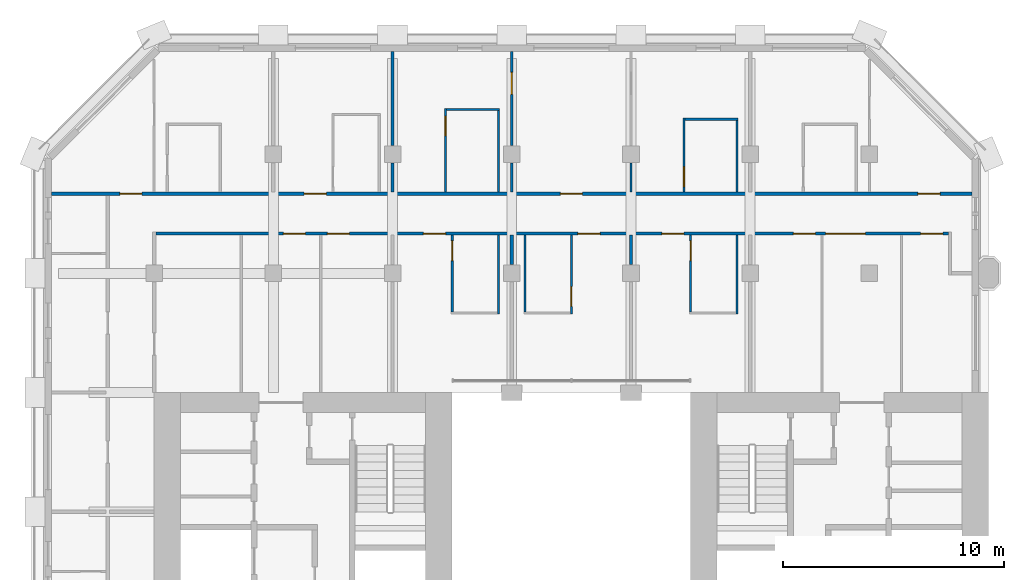
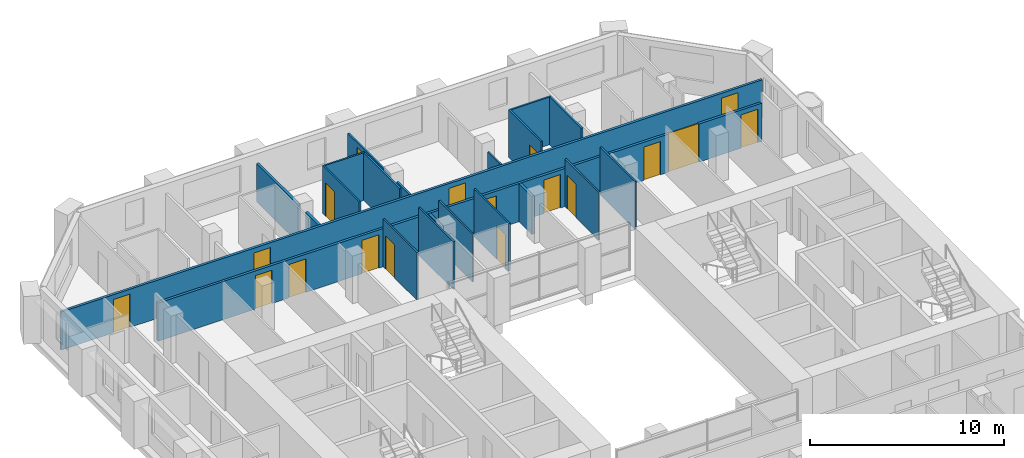
# One storey, part 10 of 13: 21 walls, 18 doors, 18 openings.
"""IFC4 building model written with IfcOpenShell, lengths in metres."""

from ifc_helpers import new_model, si_unit, direction, frame, frame_2d, origin, place, context, subcontext, project, spatial, rectangle, extrude, material, layer, layer_set, type_object, element, fill, save


model = new_model("IFC4")

# Units and contexts
model_context = context("Model", 3, precision=1e-05, world=origin(), true_north=direction((0.0, 1.0)))
body_context = subcontext(model_context, "Body", "Model", "MODEL_VIEW")
ifc_project = project(units=[si_unit("LENGTHUNIT", "METRE"), si_unit("AREAUNIT", "SQUARE_METRE"), si_unit("VOLUMEUNIT", "CUBIC_METRE"), si_unit("PLANEANGLEUNIT", "RADIAN"), si_unit("MASSUNIT", "GRAM", prefix="KILO")], contexts=[model_context])

# Site, building, storey
site_placement = place(None, origin())
site = spatial("IfcSite", under=ifc_project, at=site_placement, CompositionType="ELEMENT")
building_placement = place(site_placement, origin())
building = spatial("IfcBuilding", under=site, at=building_placement, Name="Tabaq Tower and Sports Hall", CompositionType="ELEMENT")
storey_placement = place(building_placement, frame((0.0, 0.0, 220.300048828125)))
storey = spatial("IfcBuildingStorey", under=building, at=storey_placement, Name="L55", CompositionType="ELEMENT", Elevation=220.300048828125)

# Wall
ifc_material_1 = material(Name="Gypsum board on steel studs", Category="steel")
ifc_layer_1 = layer(ifc_material_1, 0.10009765625)
ifc_layer_set_1 = layer_set([ifc_layer_1], Name="Partition 100 Gypsum board")
wall_type_1 = type_object("IfcWallType", Name="Partition 100 Gypsum board", PredefinedType="PARTITIONING", material=ifc_layer_set_1)
wall_1_placement = place(storey_placement, frame((31.800048828125, 39.52490234375, 0.0), z_axis=(0.0, 0.0, 1.0), x_axis=(0.0, -1.0, 0.0)))
element("IfcWall", 1, at=wall_1_placement, inside=storey, type_object=wall_type_1, Name="Partition wall L55", PredefinedType="PARTITIONING", context=body_context, shape_type="SweptSolid", body=[
    extrude(rectangle(XDim=3.574951171875, YDim=0.10009765625, at=frame_2d((1.78759765625, 0.0))), origin(), (0.0, 0.0, 1.0), 3.0),
])

# Wall, opening, door
wall_2_placement = place(storey_placement, frame((29.699951171875, 36.050048828125, 0.0), z_axis=(0.0, 0.0, 1.0), x_axis=(0.0, 1.0, 0.0)))
wall_2 = element("IfcWall", 2, at=wall_2_placement, inside=storey, type_object=wall_type_1, Name="Partition wall L55", PredefinedType="PARTITIONING", context=body_context, shape_type="SweptSolid", body=[
    extrude(rectangle(XDim=3.474853515625, YDim=0.10009765625, at=frame_2d((1.7373046875, 0.0))), origin(), (0.0, 0.0, 1.0), 3.0),
])
opening_1_placement = place(wall_2_placement, frame((2.324951171875, 0.0, 0.0)))
opening_1 = element("IfcOpeningElement", 3, at=opening_1_placement, cuts=wall_2, Name="Opening L55-001", PredefinedType="OPENING", context=body_context, shape_type="SweptSolid", body=[
    extrude(rectangle(XDim=0.89990234375, YDim=2.10009765625, at=frame_2d((0.449951171875, 1.050048828125))), frame((0.0, 0.050048828125, 0.0), z_axis=(0.0, -1.0, 0.0), x_axis=(1.0, 0.0, 0.0)), (0.0, 0.0, 1.0), 0.10009765625),
])
ifc_material_2 = material(Name="Timber leaf in steel frame", Category="steel")
door_type_1 = type_object("IfcDoorType", Name="Internal door 900 left hand", OperationType="SINGLE_SWING_LEFT", PredefinedType="DOOR", material=ifc_material_2)
door_1_placement = place(opening_1_placement, origin())
door_1 = element("IfcDoor", 4, at=door_1_placement, inside=storey, type_object=door_type_1, Name="Internal door L55-001", OperationType="SINGLE_SWING_LEFT", OverallHeight=2.10009765625, OverallWidth=0.89990234375, PredefinedType="DOOR", context=body_context, shape_type="SweptSolid", body=[
    extrude(rectangle(XDim=0.89990234375, YDim=2.10009765625, at=frame_2d((0.449951171875, 1.050048828125))), frame((0.0, 0.02490234375, 0.0), z_axis=(0.0, -1.0, 0.0), x_axis=(1.0, 0.0, 0.0)), (0.0, 0.0, 1.0), 0.050048828125),
])
fill(opening_1, door_1)

wall_3_placement = place(storey_placement, frame((24.300048828125, 39.52490234375, 0.0), z_axis=(0.0, 0.0, 1.0), x_axis=(0.0, -1.0, 0.0)))
wall_3 = element("IfcWall", 5, at=wall_3_placement, inside=storey, type_object=wall_type_1, Name="Partition wall L55", PredefinedType="PARTITIONING", context=body_context, shape_type="SweptSolid", body=[
    extrude(rectangle(XDim=3.574951171875, YDim=0.10009765625, at=frame_2d((1.78759765625, 0.0))), origin(), (0.0, 0.0, 1.0), 3.0),
])
opening_2_placement = place(wall_3_placement, frame((2.324951171875, 0.0, 0.0)))
opening_2 = element("IfcOpeningElement", 6, at=opening_2_placement, cuts=wall_3, Name="Opening L55-002", PredefinedType="OPENING", context=body_context, shape_type="SweptSolid", body=[
    extrude(rectangle(XDim=0.89990234375, YDim=2.10009765625, at=frame_2d((0.449951171875, 1.050048828125))), frame((0.0, 0.050048828125, 0.0), z_axis=(0.0, -1.0, 0.0), x_axis=(1.0, 0.0, 0.0)), (0.0, 0.0, 1.0), 0.10009765625),
])
door_2_placement = place(opening_2_placement, origin())
door_2 = element("IfcDoor", 7, at=door_2_placement, inside=storey, type_object=door_type_1, Name="Internal door L55-002", OperationType="SINGLE_SWING_LEFT", OverallHeight=2.10009765625, OverallWidth=0.89990234375, PredefinedType="DOOR", context=body_context, shape_type="SweptSolid", body=[
    extrude(rectangle(XDim=0.89990234375, YDim=2.10009765625, at=frame_2d((0.449951171875, 1.050048828125))), frame((0.0, 0.02490234375, 0.0), z_axis=(0.0, -1.0, 0.0), x_axis=(1.0, 0.0, 0.0)), (0.0, 0.0, 1.0), 0.050048828125),
])
fill(opening_2, door_2)

# Walls
wall_4_placement = place(storey_placement, frame((22.199951171875, 36.050048828125, 0.0), z_axis=(0.0, 0.0, 1.0), x_axis=(0.0, 1.0, 0.0)))
element("IfcWall", 8, at=wall_4_placement, inside=storey, type_object=wall_type_1, Name="Partition wall L55", PredefinedType="PARTITIONING", context=body_context, shape_type="SweptSolid", body=[
    extrude(rectangle(XDim=3.474853515625, YDim=0.10009765625, at=frame_2d((1.7373046875, 0.0))), origin(), (0.0, 0.0, 1.0), 3.0),
])
wall_5_placement = place(storey_placement, frame((21.0, 39.52490234375, 0.0), z_axis=(0.0, 0.0, 1.0), x_axis=(0.0, -1.0, 0.0)))
element("IfcWall", 9, at=wall_5_placement, inside=storey, type_object=wall_type_1, Name="Partition wall L55", PredefinedType="PARTITIONING", context=body_context, shape_type="SweptSolid", body=[
    extrude(rectangle(XDim=3.574951171875, YDim=0.10009765625, at=frame_2d((1.78759765625, 0.0))), origin(), (0.0, 0.0, 1.0), 3.0),
])

# Wall, opening, door
wall_6_placement = place(storey_placement, frame((18.89990234375, 36.050048828125, 0.0), z_axis=(0.0, 0.0, 1.0), x_axis=(0.0, 1.0, 0.0)))
wall_6 = element("IfcWall", 10, at=wall_6_placement, inside=storey, type_object=wall_type_1, Name="Partition wall L55", PredefinedType="PARTITIONING", context=body_context, shape_type="SweptSolid", body=[
    extrude(rectangle(XDim=3.474853515625, YDim=0.10009765625, at=frame_2d((1.7373046875, 0.0))), origin(), (0.0, 0.0, 1.0), 3.0),
])
opening_3_placement = place(wall_6_placement, frame((2.324951171875, 0.0, 0.0)))
opening_3 = element("IfcOpeningElement", 11, at=opening_3_placement, cuts=wall_6, Name="Opening L55-003", PredefinedType="OPENING", context=body_context, shape_type="SweptSolid", body=[
    extrude(rectangle(XDim=0.89990234375, YDim=2.10009765625, at=frame_2d((0.449951171875, 1.050048828125))), frame((0.0, 0.050048828125, 0.0), z_axis=(0.0, -1.0, 0.0), x_axis=(1.0, 0.0, 0.0)), (0.0, 0.0, 1.0), 0.10009765625),
])
ifc_material_3 = material(Name="Timber leaf in steel frame", Category="steel")
door_type_2 = type_object("IfcDoorType", Name="Internal door 900 right hand", OperationType="SINGLE_SWING_RIGHT", PredefinedType="DOOR", material=ifc_material_3)
door_3_placement = place(opening_3_placement, origin())
door_3 = element("IfcDoor", 12, at=door_3_placement, inside=storey, type_object=door_type_2, Name="Internal door L55-003", OperationType="SINGLE_SWING_RIGHT", OverallHeight=2.10009765625, OverallWidth=0.89990234375, PredefinedType="DOOR", context=body_context, shape_type="SweptSolid", body=[
    extrude(rectangle(XDim=0.89990234375, YDim=2.10009765625, at=frame_2d((0.449951171875, 1.050048828125))), frame((0.0, 0.02490234375, 0.0), z_axis=(0.0, -1.0, 0.0), x_axis=(1.0, 0.0, 0.0)), (0.0, 0.0, 1.0), 0.050048828125),
])
fill(opening_3, door_3)

# Wall
wall_7_placement = place(storey_placement, frame((27.0, 42.804931640625, 0.0), z_axis=(0.0, 0.0, 1.0), x_axis=(0.0, -1.0, 0.0)))
element("IfcWall", 13, at=wall_7_placement, inside=storey, type_object=wall_type_1, Name="Partition wall L55", PredefinedType="PARTITIONING", context=body_context, shape_type="SweptSolid", body=[
    extrude(rectangle(XDim=1.329833984375, YDim=0.10009765625, at=frame_2d((0.6650390625, 0.0))), origin(), (0.0, 0.0, 1.0), 2.39990234375),
])

# Wall, opening, door
wall_8_placement = place(storey_placement, frame((29.39990234375, 41.47509765625, 0.0), z_axis=(0.0, 0.0, 1.0), x_axis=(0.0, 1.0, 0.0)))
wall_8 = element("IfcWall", 14, at=wall_8_placement, inside=storey, type_object=wall_type_1, Name="Partition wall L55", PredefinedType="PARTITIONING", context=body_context, shape_type="SweptSolid", body=[
    extrude(rectangle(XDim=3.349853515625, YDim=0.10009765625, at=frame_2d((1.6748046875, 0.0))), origin(), (0.0, 0.0, 1.0), 3.0),
])
opening_4_placement = place(wall_8_placement, frame((0.25, 0.0, 0.0)))
opening_4 = element("IfcOpeningElement", 15, at=opening_4_placement, cuts=wall_8, Name="Opening L55-006", PredefinedType="OPENING", context=body_context, shape_type="SweptSolid", body=[
    extrude(rectangle(XDim=0.89990234375, YDim=2.10009765625, at=frame_2d((0.449951171875, 1.050048828125))), frame((0.0, 0.050048828125, 0.0), z_axis=(0.0, -1.0, 0.0), x_axis=(1.0, 0.0, 0.0)), (0.0, 0.0, 1.0), 0.10009765625),
])
door_4_placement = place(opening_4_placement, origin())
door_4 = element("IfcDoor", 16, at=door_4_placement, inside=storey, type_object=door_type_1, Name="Internal door L55-006", OperationType="SINGLE_SWING_LEFT", OverallHeight=2.10009765625, OverallWidth=0.89990234375, PredefinedType="DOOR", context=body_context, shape_type="SweptSolid", body=[
    extrude(rectangle(XDim=0.89990234375, YDim=2.10009765625, at=frame_2d((0.449951171875, 1.050048828125))), frame((0.0, 0.02490234375, 0.0), z_axis=(0.0, -1.0, 0.0), x_axis=(1.0, 0.0, 0.0)), (0.0, 0.0, 1.0), 0.050048828125),
])
fill(opening_4, door_4)

# Walls
wall_9_placement = place(storey_placement, frame((29.449951171875, 44.77490234375, 0.0), z_axis=(0.0, 0.0, 1.0), x_axis=(1.0, 0.0, 0.0)))
element("IfcWall", 17, at=wall_9_placement, inside=storey, type_object=wall_type_1, Name="Partition wall L55", PredefinedType="PARTITIONING", context=body_context, shape_type="SweptSolid", body=[
    extrude(rectangle(XDim=2.400146484375, YDim=0.10009765625, at=frame_2d((1.2001953125, 0.0))), origin(), (0.0, 0.0, 1.0), 3.0),
])
wall_10_placement = place(storey_placement, frame((31.800048828125, 44.72509765625, 0.0), z_axis=(0.0, 0.0, 1.0), x_axis=(0.0, -1.0, 0.0)))
element("IfcWall", 18, at=wall_10_placement, inside=storey, type_object=wall_type_1, Name="Partition wall L55", PredefinedType="PARTITIONING", context=body_context, shape_type="SweptSolid", body=[
    extrude(rectangle(XDim=3.25, YDim=0.10009765625, at=frame_2d((1.625, 0.0))), origin(), (0.0, 0.0, 1.0), 3.0),
])

# Wall, opening, door
wall_11_placement = place(storey_placement, frame((18.60009765625, 41.47509765625, 0.0), z_axis=(0.0, 0.0, 1.0), x_axis=(0.0, 1.0, 0.0)))
wall_11 = element("IfcWall", 19, at=wall_11_placement, inside=storey, type_object=wall_type_1, Name="Partition wall L55", PredefinedType="PARTITIONING", context=body_context, shape_type="SweptSolid", body=[
    extrude(rectangle(XDim=3.7998046875, YDim=0.10009765625, at=frame_2d((1.89990234375, 0.0))), origin(), (0.0, 0.0, 1.0), 3.0),
])
opening_5_placement = place(wall_11_placement, frame((2.550048828125, 0.0, 0.0)))
opening_5 = element("IfcOpeningElement", 20, at=opening_5_placement, cuts=wall_11, Name="Opening L55-007", PredefinedType="OPENING", context=body_context, shape_type="SweptSolid", body=[
    extrude(rectangle(XDim=0.89990234375, YDim=2.10009765625, at=frame_2d((0.449951171875, 1.050048828125))), frame((0.0, 0.050048828125, 0.0), z_axis=(0.0, -1.0, 0.0), x_axis=(1.0, 0.0, 0.0)), (0.0, 0.0, 1.0), 0.10009765625),
])
door_5_placement = place(opening_5_placement, origin())
door_5 = element("IfcDoor", 21, at=door_5_placement, inside=storey, type_object=door_type_2, Name="Internal door L55-007", OperationType="SINGLE_SWING_RIGHT", OverallHeight=2.10009765625, OverallWidth=0.89990234375, PredefinedType="DOOR", context=body_context, shape_type="SweptSolid", body=[
    extrude(rectangle(XDim=0.89990234375, YDim=2.10009765625, at=frame_2d((0.449951171875, 1.050048828125))), frame((0.0, 0.02490234375, 0.0), z_axis=(0.0, -1.0, 0.0), x_axis=(1.0, 0.0, 0.0)), (0.0, 0.0, 1.0), 0.050048828125),
])
fill(opening_5, door_5)

# Walls
wall_12_placement = place(storey_placement, frame((18.64990234375, 45.22509765625, 0.0), z_axis=(0.0, 0.0, 1.0), x_axis=(1.0, 0.0, 0.0)))
element("IfcWall", 22, at=wall_12_placement, inside=storey, type_object=wall_type_1, Name="Partition wall L55", PredefinedType="PARTITIONING", context=body_context, shape_type="SweptSolid", body=[
    extrude(rectangle(XDim=2.400146484375, YDim=0.10009765625, at=frame_2d((1.2001953125, 0.0))), origin(), (0.0, 0.0, 1.0), 3.0),
])
wall_13_placement = place(storey_placement, frame((21.0, 45.175048828125, 0.0), z_axis=(0.0, 0.0, 1.0), x_axis=(0.0, -1.0, 0.0)))
element("IfcWall", 23, at=wall_13_placement, inside=storey, type_object=wall_type_1, Name="Partition wall L55", PredefinedType="PARTITIONING", context=body_context, shape_type="SweptSolid", body=[
    extrude(rectangle(XDim=3.699951171875, YDim=0.10009765625, at=frame_2d((1.85009765625, 0.0))), origin(), (0.0, 0.0, 1.0), 3.0),
])
wall_14_placement = place(storey_placement, frame((21.60009765625, 41.47509765625, 0.0), z_axis=(0.0, 0.0, 1.0), x_axis=(0.0, 1.0, 0.0)))
element("IfcWall", 24, at=wall_14_placement, inside=storey, type_object=wall_type_1, Name="Partition wall L55", PredefinedType="PARTITIONING", context=body_context, shape_type="SweptSolid", body=[
    extrude(rectangle(XDim=1.329833984375, YDim=0.10009765625, at=frame_2d((0.6650390625, 0.0))), origin(), (0.0, 0.0, 1.0), 2.39990234375),
])

# Wall, opening, door
wall_15_placement = place(storey_placement, frame((21.60009765625, 43.594970703125, 0.0), z_axis=(0.0, 0.0, 1.0), x_axis=(0.0, 1.0, 0.0)))
wall_15 = element("IfcWall", 25, at=wall_15_placement, inside=storey, type_object=wall_type_1, Name="Partition wall L55", PredefinedType="PARTITIONING", context=body_context, shape_type="SweptSolid", body=[
    extrude(rectangle(XDim=4.254150390625, YDim=0.10009765625, at=frame_2d((2.126953125, 0.0))), origin(), (0.0, 0.0, 1.0), 2.39990234375),
])
opening_6_placement = place(wall_15_placement, frame((2.304931640625, 0.0, 0.0)))
opening_6 = element("IfcOpeningElement", 26, at=opening_6_placement, cuts=wall_15, Name="Opening L55-035", PredefinedType="OPENING", context=body_context, shape_type="SweptSolid", body=[
    extrude(rectangle(XDim=1.0, YDim=2.10009765625, at=frame_2d((0.5, 1.050048828125))), frame((0.0, 0.050048828125, 0.0), z_axis=(0.0, -1.0, 0.0), x_axis=(1.0, 0.0, 0.0)), (0.0, 0.0, 1.0), 0.10009765625),
])
ifc_material_4 = material(Name="Timber leaf in steel frame", Category="steel")
door_type_3 = type_object("IfcDoorType", Name="Internal door 1000 left hand", OperationType="SINGLE_SWING_LEFT", PredefinedType="DOOR", material=ifc_material_4)
door_6_placement = place(opening_6_placement, origin())
door_6 = element("IfcDoor", 27, at=door_6_placement, inside=storey, type_object=door_type_3, Name="Internal door L55-035", OperationType="SINGLE_SWING_LEFT", OverallHeight=2.10009765625, OverallWidth=1.0, PredefinedType="DOOR", context=body_context, shape_type="SweptSolid", body=[
    extrude(rectangle(XDim=1.0, YDim=2.10009765625, at=frame_2d((0.5, 1.050048828125))), frame((0.0, 0.02490234375, 0.0), z_axis=(0.0, -1.0, 0.0), x_axis=(1.0, 0.0, 0.0)), (0.0, 0.0, 1.0), 0.050048828125),
])
fill(opening_6, door_6)

# Walls
ifc_material_5 = material(Name="Blockwork", Category="masonry")
ifc_layer_2 = layer(ifc_material_5, 0.14990234375)
ifc_layer_set_2 = layer_set([ifc_layer_2], Name="Separating wall 150 Blockwork")
wall_type_2 = type_object("IfcWallType", Name="Separating wall 150 Blockwork", PredefinedType="PARTITIONING", material=ifc_layer_set_2)
for number, where, z_axis, x_axis, name in (
    (28, (27.0, 39.52490234375, 0.0), (0.0, 0.0, 1.0), (0.0, -1.0, 0.0), "Separating wall L55"),
    (29, (21.60009765625, 39.52490234375, 0.0), (0.0, 0.0, 1.0), (0.0, -1.0, 0.0), "Separating wall L55"),
):
    element("IfcWall", number, at=place(storey_placement, frame(where, z_axis=z_axis, x_axis=x_axis)), inside=storey, type_object=wall_type_2, Name=name, PredefinedType="PARTITIONING", context=body_context, shape_type="SweptSolid", body=[
        extrude(rectangle(XDim=1.329833984375, YDim=0.14990234375, at=frame_2d((0.6650390625, 0.0))), origin(), (0.0, 0.0, 1.0), 2.39990234375),
    ])
wall_16_placement = place(storey_placement, frame((16.199951171875, 47.84912109375, 0.0), z_axis=(0.0, 0.0, 1.0), x_axis=(0.0, -1.0, 0.0)))
element("IfcWall", 30, at=wall_16_placement, inside=storey, type_object=wall_type_2, Name="Separating wall L55", PredefinedType="PARTITIONING", context=body_context, shape_type="SweptSolid", body=[
    extrude(rectangle(XDim=4.254150390625, YDim=0.14990234375, at=frame_2d((2.126953125, 0.0))), origin(), (0.0, 0.0, 1.0), 2.39990234375),
])
wall_17_placement = place(storey_placement, frame((16.199951171875, 42.804931640625, 0.0), z_axis=(0.0, 0.0, 1.0), x_axis=(0.0, -1.0, 0.0)))
element("IfcWall", 31, at=wall_17_placement, inside=storey, type_object=wall_type_2, Name="Separating wall L55", PredefinedType="PARTITIONING", context=body_context, shape_type="SweptSolid", body=[
    extrude(rectangle(XDim=1.329833984375, YDim=0.14990234375, at=frame_2d((0.6650390625, 0.0))), origin(), (0.0, 0.0, 1.0), 2.39990234375),
])

# Wall, openings, doors
wall_18_placement = place(storey_placement, frame((42.448974609375, 41.39990234375, 0.0), z_axis=(0.0, 0.0, 1.0), x_axis=(-1.0, 0.0, 0.0)))
wall_18 = element("IfcWall", 32, at=wall_18_placement, inside=storey, type_object=wall_type_2, Name="Separating wall L55", PredefinedType="PARTITIONING", context=body_context, shape_type="SweptSolid", body=[
    extrude(rectangle(XDim=41.697998046875, YDim=0.14990234375, at=frame_2d((20.84912109375, 0.0))), origin(), (0.0, 0.0, 1.0), 2.39990234375),
])
opening_7_placement = place(wall_18_placement, frame((1.448974609375, 0.0, 0.0)))
opening_7 = element("IfcOpeningElement", 33, at=opening_7_placement, cuts=wall_18, Name="Opening L55-033", PredefinedType="OPENING", context=body_context, shape_type="SweptSolid", body=[
    extrude(rectangle(XDim=1.0, YDim=2.10009765625, at=frame_2d((0.5, 1.050048828125))), frame((0.0, 0.074951171875, 0.0), z_axis=(0.0, -1.0, 0.0), x_axis=(1.0, 0.0, 0.0)), (0.0, 0.0, 1.0), 0.14990234375),
])
opening_8_placement = place(wall_18_placement, frame((29.2490234375, 0.0, 0.0)))
opening_8 = element("IfcOpeningElement", 34, at=opening_8_placement, cuts=wall_18, Name="Opening L55-036", PredefinedType="OPENING", context=body_context, shape_type="SweptSolid", body=[
    extrude(rectangle(XDim=1.0, YDim=2.10009765625, at=frame_2d((0.5, 1.050048828125))), frame((0.0, 0.074951171875, 0.0), z_axis=(0.0, -1.0, 0.0), x_axis=(1.0, 0.0, 0.0)), (0.0, 0.0, 1.0), 0.14990234375),
])
opening_9_placement = place(wall_18_placement, frame((37.59912109375, 0.0, 0.0)))
opening_9 = element("IfcOpeningElement", 35, at=opening_9_placement, cuts=wall_18, Name="Opening L55-038", PredefinedType="OPENING", context=body_context, shape_type="SweptSolid", body=[
    extrude(rectangle(XDim=1.0, YDim=2.10009765625, at=frame_2d((0.5, 1.050048828125))), frame((0.0, 0.074951171875, 0.0), z_axis=(0.0, -1.0, 0.0), x_axis=(1.0, 0.0, 0.0)), (0.0, 0.0, 1.0), 0.14990234375),
])
opening_10_placement = place(wall_18_placement, frame((17.64892578125, 0.0, 0.0)))
opening_10 = element("IfcOpeningElement", 36, at=opening_10_placement, cuts=wall_18, Name="Opening L55-052", PredefinedType="OPENING", context=body_context, shape_type="SweptSolid", body=[
    extrude(rectangle(XDim=1.0, YDim=2.10009765625, at=frame_2d((0.5, 1.050048828125))), frame((0.0, 0.074951171875, 0.0), z_axis=(0.0, -1.0, 0.0), x_axis=(1.0, 0.0, 0.0)), (0.0, 0.0, 1.0), 0.14990234375),
])
ifc_material_6 = material(Name="Steel fire door", Category="steel")
door_type_4 = type_object("IfcDoorType", Name="Entrance door 1000 left hand", OperationType="SINGLE_SWING_LEFT", PredefinedType="DOOR", material=ifc_material_6)
door_7_placement = place(opening_10_placement, origin())
door_7 = element("IfcDoor", 37, at=door_7_placement, inside=storey, type_object=door_type_4, Name="Entrance door L55-052", OperationType="SINGLE_SWING_LEFT", OverallHeight=2.10009765625, OverallWidth=1.0, PredefinedType="DOOR", context=body_context, shape_type="SweptSolid", body=[
    extrude(rectangle(XDim=1.0, YDim=2.10009765625, at=frame_2d((0.5, 1.050048828125))), frame((0.0, 0.02490234375, 0.0), z_axis=(0.0, -1.0, 0.0), x_axis=(1.0, 0.0, 0.0)), (0.0, 0.0, 1.0), 0.050048828125),
])
fill(opening_10, door_7)
ifc_material_7 = material(Name="Steel fire door", Category="steel")
door_type_5 = type_object("IfcDoorType", Name="Entrance door 1000 right hand", OperationType="SINGLE_SWING_RIGHT", PredefinedType="DOOR", material=ifc_material_7)
door_8_placement = place(opening_7_placement, origin())
door_8 = element("IfcDoor", 38, at=door_8_placement, inside=storey, type_object=door_type_5, Name="Entrance door L55-033", OperationType="SINGLE_SWING_RIGHT", OverallHeight=2.10009765625, OverallWidth=1.0, PredefinedType="DOOR", context=body_context, shape_type="SweptSolid", body=[
    extrude(rectangle(XDim=1.0, YDim=2.10009765625, at=frame_2d((0.5, 1.050048828125))), frame((0.0, 0.02490234375, 0.0), z_axis=(0.0, -1.0, 0.0), x_axis=(1.0, 0.0, 0.0)), (0.0, 0.0, 1.0), 0.050048828125),
])
fill(opening_7, door_8)
door_9_placement = place(opening_8_placement, origin())
door_9 = element("IfcDoor", 39, at=door_9_placement, inside=storey, type_object=door_type_5, Name="Entrance door L55-036", OperationType="SINGLE_SWING_RIGHT", OverallHeight=2.10009765625, OverallWidth=1.0, PredefinedType="DOOR", context=body_context, shape_type="SweptSolid", body=[
    extrude(rectangle(XDim=1.0, YDim=2.10009765625, at=frame_2d((0.5, 1.050048828125))), frame((0.0, 0.02490234375, 0.0), z_axis=(0.0, -1.0, 0.0), x_axis=(1.0, 0.0, 0.0)), (0.0, 0.0, 1.0), 0.050048828125),
])
fill(opening_8, door_9)
door_10_placement = place(opening_9_placement, origin())
door_10 = element("IfcDoor", 40, at=door_10_placement, inside=storey, type_object=door_type_5, Name="Entrance door L55-038", OperationType="SINGLE_SWING_RIGHT", OverallHeight=2.10009765625, OverallWidth=1.0, PredefinedType="DOOR", context=body_context, shape_type="SweptSolid", body=[
    extrude(rectangle(XDim=1.0, YDim=2.10009765625, at=frame_2d((0.5, 1.050048828125))), frame((0.0, 0.02490234375, 0.0), z_axis=(0.0, -1.0, 0.0), x_axis=(1.0, 0.0, 0.0)), (0.0, 0.0, 1.0), 0.050048828125),
])
fill(opening_9, door_10)

wall_19_placement = place(storey_placement, frame((41.3740234375, 39.60009765625, 0.0), z_axis=(0.0, 0.0, 1.0), x_axis=(-1.0, 0.0, 0.0)))
wall_19 = element("IfcWall", 41, at=wall_19_placement, inside=storey, type_object=wall_type_2, Name="Separating wall L55", PredefinedType="PARTITIONING", context=body_context, shape_type="SweptSolid", body=[
    extrude(rectangle(XDim=35.89892578125, YDim=0.14990234375, at=frame_2d((17.949462890625, 0.0))), origin(), (0.0, 0.0, 1.0), 2.39990234375),
])
opening_11_placement = place(wall_19_placement, frame((0.25, 0.0, 0.0)))
opening_11 = element("IfcOpeningElement", 42, at=opening_11_placement, cuts=wall_19, Name="Opening L55-011", PredefinedType="OPENING", context=body_context, shape_type="SweptSolid", body=[
    extrude(rectangle(XDim=1.0, YDim=2.10009765625, at=frame_2d((0.5, 1.050048828125))), frame((0.0, 0.074951171875, 0.0), z_axis=(0.0, -1.0, 0.0), x_axis=(1.0, 0.0, 0.0)), (0.0, 0.0, 1.0), 0.14990234375),
])
opening_12_placement = place(wall_19_placement, frame((27.1240234375, 0.0, 0.0)))
opening_12 = element("IfcOpeningElement", 43, at=opening_12_placement, cuts=wall_19, Name="Opening L55-012", PredefinedType="OPENING", context=body_context, shape_type="SweptSolid", body=[
    extrude(rectangle(XDim=1.0, YDim=2.10009765625, at=frame_2d((0.5, 1.050048828125))), frame((0.0, 0.074951171875, 0.0), z_axis=(0.0, -1.0, 0.0), x_axis=(1.0, 0.0, 0.0)), (0.0, 0.0, 1.0), 0.14990234375),
])
opening_13_placement = place(wall_19_placement, frame((6.02392578125, 0.0, 0.0)))
opening_13 = element("IfcOpeningElement", 44, at=opening_13_placement, cuts=wall_19, Name="Opening L55-014", PredefinedType="OPENING", context=body_context, shape_type="SweptSolid", body=[
    extrude(rectangle(XDim=1.0, YDim=2.10009765625, at=frame_2d((0.5, 1.050048828125))), frame((0.0, 0.074951171875, 0.0), z_axis=(0.0, -1.0, 0.0), x_axis=(1.0, 0.0, 0.0)), (0.0, 0.0, 1.0), 0.14990234375),
])
opening_14_placement = place(wall_19_placement, frame((11.97412109375, 0.0, 0.0)))
opening_14 = element("IfcOpeningElement", 45, at=opening_14_placement, cuts=wall_19, Name="Opening L55-028", PredefinedType="OPENING", context=body_context, shape_type="SweptSolid", body=[
    extrude(rectangle(XDim=1.0, YDim=2.10009765625, at=frame_2d((0.5, 1.050048828125))), frame((0.0, 0.074951171875, 0.0), z_axis=(0.0, -1.0, 0.0), x_axis=(1.0, 0.0, 0.0)), (0.0, 0.0, 1.0), 0.14990234375),
])
opening_15_placement = place(wall_19_placement, frame((15.77392578125, 0.0, 0.0)))
opening_15 = element("IfcOpeningElement", 46, at=opening_15_placement, cuts=wall_19, Name="Opening L55-029", PredefinedType="OPENING", context=body_context, shape_type="SweptSolid", body=[
    extrude(rectangle(XDim=1.0, YDim=2.10009765625, at=frame_2d((0.5, 1.050048828125))), frame((0.0, 0.074951171875, 0.0), z_axis=(0.0, -1.0, 0.0), x_axis=(1.0, 0.0, 0.0)), (0.0, 0.0, 1.0), 0.14990234375),
])
opening_16_placement = place(wall_19_placement, frame((22.77392578125, 0.0, 0.0)))
opening_16 = element("IfcOpeningElement", 47, at=opening_16_placement, cuts=wall_19, Name="Opening L55-030", PredefinedType="OPENING", context=body_context, shape_type="SweptSolid", body=[
    extrude(rectangle(XDim=1.0, YDim=2.10009765625, at=frame_2d((0.5, 1.050048828125))), frame((0.0, 0.074951171875, 0.0), z_axis=(0.0, -1.0, 0.0), x_axis=(1.0, 0.0, 0.0)), (0.0, 0.0, 1.0), 0.14990234375),
])
opening_17_placement = place(wall_19_placement, frame((3.75390625, 0.0, 0.0)))
opening_17 = element("IfcOpeningElement", 48, at=opening_17_placement, cuts=wall_19, Name="Opening L55-039", PredefinedType="OPENING", context=body_context, shape_type="SweptSolid", body=[
    extrude(rectangle(XDim=1.800048828125, YDim=2.39990234375, at=frame_2d((0.89990234375, 1.199951171875))), frame((0.0, 0.074951171875, 0.0), z_axis=(0.0, -1.0, 0.0), x_axis=(1.0, 0.0, 0.0)), (0.0, 0.0, 1.0), 0.14990234375),
])
opening_18_placement = place(wall_19_placement, frame((29.1240234375, 0.0, 0.0)))
opening_18 = element("IfcOpeningElement", 49, at=opening_18_placement, cuts=wall_19, Name="Opening L55-040", PredefinedType="OPENING", context=body_context, shape_type="SweptSolid", body=[
    extrude(rectangle(XDim=1.0, YDim=2.10009765625, at=frame_2d((0.5, 1.050048828125))), frame((0.0, 0.074951171875, 0.0), z_axis=(0.0, -1.0, 0.0), x_axis=(1.0, 0.0, 0.0)), (0.0, 0.0, 1.0), 0.14990234375),
])
door_11_placement = place(opening_14_placement, origin())
door_11 = element("IfcDoor", 50, at=door_11_placement, inside=storey, type_object=door_type_4, Name="Entrance door L55-028", OperationType="SINGLE_SWING_LEFT", OverallHeight=2.10009765625, OverallWidth=1.0, PredefinedType="DOOR", context=body_context, shape_type="SweptSolid", body=[
    extrude(rectangle(XDim=1.0, YDim=2.10009765625, at=frame_2d((0.5, 1.050048828125))), frame((0.0, 0.02490234375, 0.0), z_axis=(0.0, -1.0, 0.0), x_axis=(1.0, 0.0, 0.0)), (0.0, 0.0, 1.0), 0.050048828125),
])
fill(opening_14, door_11)
door_12_placement = place(opening_16_placement, origin())
door_12 = element("IfcDoor", 51, at=door_12_placement, inside=storey, type_object=door_type_4, Name="Entrance door L55-030", OperationType="SINGLE_SWING_LEFT", OverallHeight=2.10009765625, OverallWidth=1.0, PredefinedType="DOOR", context=body_context, shape_type="SweptSolid", body=[
    extrude(rectangle(XDim=1.0, YDim=2.10009765625, at=frame_2d((0.5, 1.050048828125))), frame((0.0, 0.02490234375, 0.0), z_axis=(0.0, -1.0, 0.0), x_axis=(1.0, 0.0, 0.0)), (0.0, 0.0, 1.0), 0.050048828125),
])
fill(opening_16, door_12)
door_13_placement = place(opening_15_placement, origin())
door_13 = element("IfcDoor", 52, at=door_13_placement, inside=storey, type_object=door_type_5, Name="Entrance door L55-029", OperationType="SINGLE_SWING_RIGHT", OverallHeight=2.10009765625, OverallWidth=1.0, PredefinedType="DOOR", context=body_context, shape_type="SweptSolid", body=[
    extrude(rectangle(XDim=1.0, YDim=2.10009765625, at=frame_2d((0.5, 1.050048828125))), frame((0.0, 0.02490234375, 0.0), z_axis=(0.0, -1.0, 0.0), x_axis=(1.0, 0.0, 0.0)), (0.0, 0.0, 1.0), 0.050048828125),
])
fill(opening_15, door_13)
door_14_placement = place(opening_11_placement, origin())
door_14 = element("IfcDoor", 53, at=door_14_placement, inside=storey, type_object=door_type_3, Name="Internal door L55-011", OperationType="SINGLE_SWING_LEFT", OverallHeight=2.10009765625, OverallWidth=1.0, PredefinedType="DOOR", context=body_context, shape_type="SweptSolid", body=[
    extrude(rectangle(XDim=1.0, YDim=2.10009765625, at=frame_2d((0.5, 1.050048828125))), frame((0.0, 0.02490234375, 0.0), z_axis=(0.0, -1.0, 0.0), x_axis=(1.0, 0.0, 0.0)), (0.0, 0.0, 1.0), 0.050048828125),
])
fill(opening_11, door_14)
door_15_placement = place(opening_18_placement, origin())
door_15 = element("IfcDoor", 54, at=door_15_placement, inside=storey, type_object=door_type_3, Name="Internal door L55-040", OperationType="SINGLE_SWING_LEFT", OverallHeight=2.10009765625, OverallWidth=1.0, PredefinedType="DOOR", context=body_context, shape_type="SweptSolid", body=[
    extrude(rectangle(XDim=1.0, YDim=2.10009765625, at=frame_2d((0.5, 1.050048828125))), frame((0.0, 0.02490234375, 0.0), z_axis=(0.0, -1.0, 0.0), x_axis=(1.0, 0.0, 0.0)), (0.0, 0.0, 1.0), 0.050048828125),
])
fill(opening_18, door_15)
ifc_material_8 = material(Name="Timber leaf in steel frame", Category="steel")
door_type_6 = type_object("IfcDoorType", Name="Internal door 1000 right hand", OperationType="SINGLE_SWING_RIGHT", PredefinedType="DOOR", material=ifc_material_8)
door_16_placement = place(opening_12_placement, origin())
door_16 = element("IfcDoor", 55, at=door_16_placement, inside=storey, type_object=door_type_6, Name="Internal door L55-012", OperationType="SINGLE_SWING_RIGHT", OverallHeight=2.10009765625, OverallWidth=1.0, PredefinedType="DOOR", context=body_context, shape_type="SweptSolid", body=[
    extrude(rectangle(XDim=1.0, YDim=2.10009765625, at=frame_2d((0.5, 1.050048828125))), frame((0.0, 0.02490234375, 0.0), z_axis=(0.0, -1.0, 0.0), x_axis=(1.0, 0.0, 0.0)), (0.0, 0.0, 1.0), 0.050048828125),
])
fill(opening_12, door_16)
door_17_placement = place(opening_13_placement, origin())
door_17 = element("IfcDoor", 56, at=door_17_placement, inside=storey, type_object=door_type_6, Name="Internal door L55-014", OperationType="SINGLE_SWING_RIGHT", OverallHeight=2.10009765625, OverallWidth=1.0, PredefinedType="DOOR", context=body_context, shape_type="SweptSolid", body=[
    extrude(rectangle(XDim=1.0, YDim=2.10009765625, at=frame_2d((0.5, 1.050048828125))), frame((0.0, 0.02490234375, 0.0), z_axis=(0.0, -1.0, 0.0), x_axis=(1.0, 0.0, 0.0)), (0.0, 0.0, 1.0), 0.050048828125),
])
fill(opening_13, door_17)
ifc_material_9 = material(Name="Timber leaf in steel frame", Category="steel")
door_type_7 = type_object("IfcDoorType", Name="Internal door 1800", OperationType="DOUBLE_DOOR_SINGLE_SWING", PredefinedType="DOOR", material=ifc_material_9)
door_18_placement = place(opening_17_placement, origin())
door_18 = element("IfcDoor", 57, at=door_18_placement, inside=storey, type_object=door_type_7, Name="Internal door L55-039", OperationType="DOUBLE_DOOR_SINGLE_SWING", OverallHeight=2.39990234375, OverallWidth=1.800048828125, PredefinedType="DOOR", context=body_context, shape_type="SweptSolid", body=[
    extrude(rectangle(XDim=1.800048828125, YDim=2.39990234375, at=frame_2d((0.89990234375, 1.199951171875))), frame((0.0, 0.02490234375, 0.0), z_axis=(0.0, -1.0, 0.0), x_axis=(1.0, 0.0, 0.0)), (0.0, 0.0, 1.0), 0.050048828125),
])
fill(opening_17, door_18)

save(model, "model.ifc")
